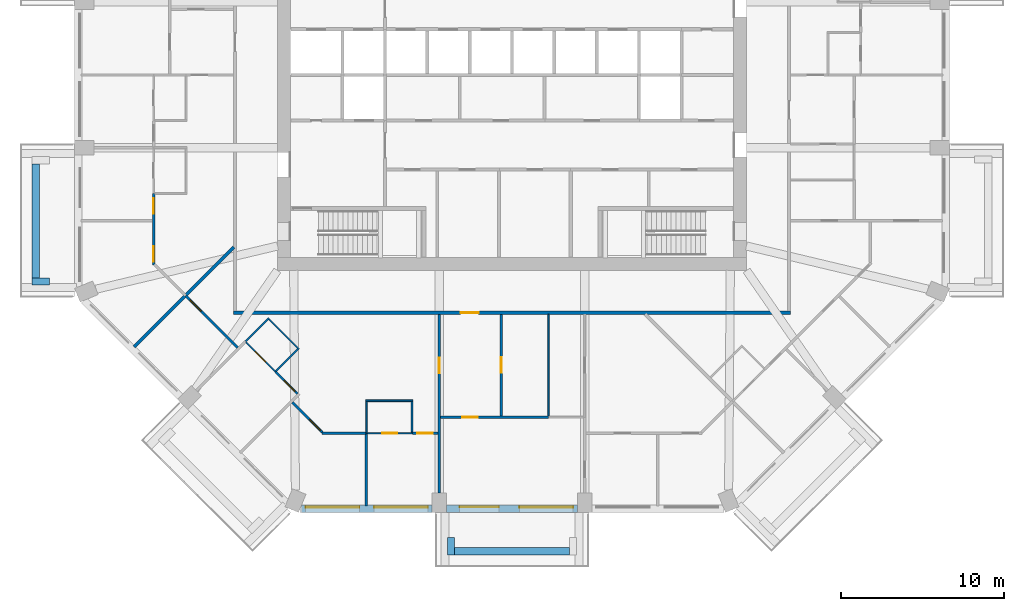
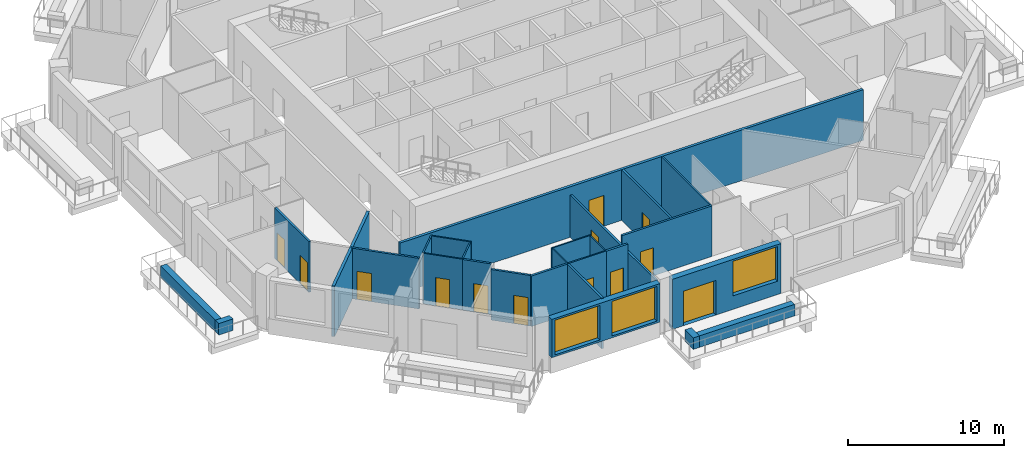
# One storey, part 3 of 13: 27 walls, 13 doors, 3 windows, 16 openings.
"""IFC4 building model written with IfcOpenShell, lengths in metres."""

from ifc_helpers import new_model, si_unit, direction, frame, frame_2d, origin, place, context, subcontext, project, spatial, rectangle, extrude, material, layer, layer_set, type_object, element, fill, save


model = new_model("IFC4")

# Units and contexts
model_context = context("Model", 3, precision=1e-05, world=origin(), true_north=direction((0.0, 1.0)))
body_context = subcontext(model_context, "Body", "Model", "MODEL_VIEW")
ifc_project = project(units=[si_unit("LENGTHUNIT", "METRE"), si_unit("AREAUNIT", "SQUARE_METRE"), si_unit("VOLUMEUNIT", "CUBIC_METRE"), si_unit("PLANEANGLEUNIT", "RADIAN"), si_unit("MASSUNIT", "GRAM", prefix="KILO")], contexts=[model_context])

# Site, building, storey
site_placement = place(None, origin())
site = spatial("IfcSite", under=ifc_project, at=site_placement, CompositionType="ELEMENT")
building_placement = place(site_placement, origin())
building = spatial("IfcBuilding", under=site, at=building_placement, Name="Msitu Wima Residences", CompositionType="ELEMENT")
storey_placement = place(building_placement, frame((0.0, 0.0, 140.10009765625)))
storey = spatial("IfcBuildingStorey", under=building, at=storey_placement, Name="L32", CompositionType="ELEMENT", Elevation=140.10009765625)

# Walls
ifc_material_1 = material(Name="Facing brick")
ifc_layer_1 = layer(ifc_material_1, 0.06494140625, Name="Facing brick")
ifc_material_2 = material(Name="Concrete C40/50", Category="concrete")
ifc_layer_2 = layer(ifc_material_2, 0.156005859375, Name="Concrete C40/50")
ifc_material_3 = material(Name="Waterproofing membrane")
ifc_layer_3 = layer(ifc_material_3, 0.00390625, Name="Waterproofing membrane")
ifc_material_4 = material(Name="Planting soil and planting")
ifc_layer_4 = layer(ifc_material_4, 0.22509765625, Name="Planting soil and planting")
ifc_layer_set_1 = layer_set([ifc_layer_1, ifc_layer_2, ifc_layer_3, ifc_layer_4], Name="Concrete C40/50")
wall_type_1 = type_object("IfcWallType", Name="Balcony planter PLANTER PL450", PredefinedType="USERDEFINED", material=ifc_layer_set_1)
wall_1_placement = place(storey_placement, frame((-29.22509765625, -5.468505859375, 0.0), z_axis=(0.0, 0.0, 1.0), x_axis=(0.0, -1.0, 0.0)))
element("IfcWall", 1, at=wall_1_placement, inside=storey, type_object=wall_type_1, Name="Balcony planter W2 L32", ObjectType="PLANTER", PredefinedType="USERDEFINED", context=body_context, shape_type="SweptSolid", body=[
    extrude(rectangle(XDim=6.9873046875, YDim=0.449951171875, at=frame_2d((3.49365234375, 0.0))), origin(), (0.0, 0.0, 1.0), 0.89990234375),
])
wall_2_placement = place(storey_placement, frame((-28.39990234375, -12.680908203125, 0.0), z_axis=(0.0, 0.0, 1.0), x_axis=(-1.0, 0.0, 0.0)))
element("IfcWall", 2, at=wall_2_placement, inside=storey, type_object=wall_type_1, Name="Balcony planter W2 L32", ObjectType="PLANTER", PredefinedType="USERDEFINED", context=body_context, shape_type="SweptSolid", body=[
    extrude(rectangle(XDim=1.050048828125, YDim=0.449951171875, at=frame_2d((0.52490234375, 0.0))), origin(), (0.0, 0.0, 1.0), 0.89990234375),
])
wall_3_placement = place(storey_placement, frame((-3.5185546875, -29.22509765625, 0.0), z_axis=(0.0, 0.0, 1.0), x_axis=(1.0, 0.0, 0.0)))
element("IfcWall", 3, at=wall_3_placement, inside=storey, type_object=wall_type_1, Name="Balcony planter S1 L32", ObjectType="PLANTER", PredefinedType="USERDEFINED", context=body_context, shape_type="SweptSolid", body=[
    extrude(rectangle(XDim=7.037109375, YDim=0.449951171875, at=frame_2d((3.5185546875, 0.0))), origin(), (0.0, 0.0, 1.0), 0.89990234375),
])
wall_4_placement = place(storey_placement, frame((-3.74365234375, -28.39990234375, 0.0), z_axis=(0.0, 0.0, 1.0), x_axis=(0.0, -1.0, 0.0)))
element("IfcWall", 4, at=wall_4_placement, inside=storey, type_object=wall_type_1, Name="Balcony planter S1 L32", ObjectType="PLANTER", PredefinedType="USERDEFINED", context=body_context, shape_type="SweptSolid", body=[
    extrude(rectangle(XDim=1.050048828125, YDim=0.449951171875, at=frame_2d((0.52490234375, 0.0))), origin(), (0.0, 0.0, 1.0), 0.89990234375),
])

# Wall, openings, windows
ifc_material_5 = material(Name="Brick (red buff mix)", Category="masonry")
ifc_layer_5 = layer(ifc_material_5, 0.449951171875)
ifc_layer_set_2 = layer_set([ifc_layer_5], Name="Brick (red buff mix)")
wall_type_2 = type_object("IfcWallType", Name="Brick infill wall BW450", PredefinedType="SOLIDWALL", material=ifc_layer_set_2)
wall_5_placement = place(storey_placement, frame((-12.918701171875, -26.625, 0.89990234375), z_axis=(0.0, 0.0, 1.0), x_axis=(1.0, 0.0, 0.0)))
wall_5 = element("IfcWall", 5, at=wall_5_placement, inside=storey, type_object=wall_type_2, Name="Brick infill wall L32 S0", PredefinedType="SOLIDWALL", context=body_context, shape_type="SweptSolid", body=[
    extrude(rectangle(XDim=8.0, YDim=0.449951171875, at=frame_2d((4.0, 0.0))), origin(), (0.0, 0.0, 1.0), 3.0),
])
opening_1_placement = place(wall_5_placement, frame((0.25, 0.0, 0.14990234375)))
opening_1 = element("IfcOpeningElement", 6, at=opening_1_placement, cuts=wall_5, Name="Opening W30-32.016", PredefinedType="OPENING", context=body_context, shape_type="SweptSolid", body=[
    extrude(rectangle(XDim=3.300048828125, YDim=2.699951171875, at=frame_2d((1.64990234375, 1.35009765625))), frame((0.0, 0.23486328125, 0.0), z_axis=(0.0, -1.0, 0.0), x_axis=(1.0, 0.0, 0.0)), (0.0, 0.0, 1.0), 0.469970703125),
])
opening_2_placement = place(wall_5_placement, frame((4.4501953125, 0.0, 0.14990234375)))
opening_2 = element("IfcOpeningElement", 7, at=opening_2_placement, cuts=wall_5, Name="Opening W30-32.017", PredefinedType="OPENING", context=body_context, shape_type="SweptSolid", body=[
    extrude(rectangle(XDim=3.300048828125, YDim=2.699951171875, at=frame_2d((1.64990234375, 1.35009765625))), frame((0.0, 0.23486328125, 0.0), z_axis=(0.0, -1.0, 0.0), x_axis=(1.0, 0.0, 0.0)), (0.0, 0.0, 1.0), 0.469970703125),
])
ifc_material_6 = material(Name="Anodised aluminium, bronze finish, clear low-emissivity double glazing", Category="aluminium")
window_type = type_object("IfcWindowType", Name="Window W3300x2700", PartitioningType="DOUBLE_PANEL_VERTICAL", PredefinedType="WINDOW", material=ifc_material_6)
window_1_placement = place(opening_1_placement, origin())
window_1 = element("IfcWindow", 8, at=window_1_placement, inside=storey, type_object=window_type, Name="Window L32 S0.1", OverallHeight=2.699951171875, OverallWidth=3.300048828125, PartitioningType="SINGLE_PANEL", PredefinedType="WINDOW", context=body_context, shape_type="SweptSolid", body=[
    extrude(rectangle(XDim=3.300048828125, YDim=2.699951171875, at=frame_2d((1.64990234375, 1.35009765625))), frame((0.0, 0.135009765625, 0.0), z_axis=(0.0, -1.0, 0.0), x_axis=(1.0, 0.0, 0.0)), (0.0, 0.0, 1.0), 0.06005859375),
])
fill(opening_1, window_1)
window_2_placement = place(opening_2_placement, origin())
window_2 = element("IfcWindow", 9, at=window_2_placement, inside=storey, type_object=window_type, Name="Window L32 S0.2", OverallHeight=2.699951171875, OverallWidth=3.300048828125, PartitioningType="SINGLE_PANEL", PredefinedType="WINDOW", context=body_context, shape_type="SweptSolid", body=[
    extrude(rectangle(XDim=3.300048828125, YDim=2.699951171875, at=frame_2d((1.64990234375, 1.35009765625))), frame((0.0, 0.135009765625, 0.0), z_axis=(0.0, -1.0, 0.0), x_axis=(1.0, 0.0, 0.0)), (0.0, 0.0, 1.0), 0.06005859375),
])
fill(opening_2, window_2)

# Wall, openings, door, window
wall_6_placement = place(storey_placement, frame((-4.0185546875, -26.625, 0.0), z_axis=(0.0, 0.0, 1.0), x_axis=(1.0, 0.0, 0.0)))
wall_6 = element("IfcWall", 10, at=wall_6_placement, inside=storey, type_object=wall_type_2, Name="Brick infill wall L32 S1", PredefinedType="SOLIDWALL", context=body_context, shape_type="SweptSolid", body=[
    extrude(rectangle(XDim=8.037109375, YDim=0.449951171875, at=frame_2d((4.0185546875, 0.0))), origin(), (0.0, 0.0, 1.0), 3.89990234375),
])
opening_3_placement = place(wall_6_placement, frame((0.809326171875, 0.0, 0.0)))
opening_3 = element("IfcOpeningElement", 11, at=opening_3_placement, cuts=wall_6, Name="Opening D30-32.006", PredefinedType="OPENING", context=body_context, shape_type="SweptSolid", body=[
    extrude(rectangle(XDim=2.39990234375, YDim=2.699951171875, at=frame_2d((1.199951171875, 1.35009765625))), frame((0.0, 0.23486328125, 0.0), z_axis=(0.0, -1.0, 0.0), x_axis=(1.0, 0.0, 0.0)), (0.0, 0.0, 1.0), 0.469970703125),
])
opening_4_placement = place(wall_6_placement, frame((4.46875, 0.0, 1.050048828125)))
opening_4 = element("IfcOpeningElement", 12, at=opening_4_placement, cuts=wall_6, Name="Opening W30-32.018", PredefinedType="OPENING", context=body_context, shape_type="SweptSolid", body=[
    extrude(rectangle(XDim=3.300048828125, YDim=2.699951171875, at=frame_2d((1.64990234375, 1.35009765625))), frame((0.0, 0.23486328125, 0.0), z_axis=(0.0, -1.0, 0.0), x_axis=(1.0, 0.0, 0.0)), (0.0, 0.0, 1.0), 0.469970703125),
])
door_type_1 = type_object("IfcDoorType", Name="Balcony door D2400x2700", OperationType="SLIDING_TO_LEFT", PredefinedType="DOOR", material=ifc_material_6)
door_1_placement = place(opening_3_placement, origin())
door_1 = element("IfcDoor", 13, at=door_1_placement, inside=storey, type_object=door_type_1, Name="Balcony door L32 S1", OperationType="SINGLE_SWING_LEFT", OverallHeight=2.699951171875, OverallWidth=2.39990234375, PredefinedType="DOOR", context=body_context, shape_type="SweptSolid", body=[
    extrude(rectangle(XDim=2.39990234375, YDim=2.699951171875, at=frame_2d((1.199951171875, 1.35009765625))), frame((0.0, 0.1298828125, 0.0), z_axis=(0.0, -1.0, 0.0), x_axis=(1.0, 0.0, 0.0)), (0.0, 0.0, 1.0), 0.050048828125),
])
fill(opening_3, door_1)
window_3_placement = place(opening_4_placement, origin())
window_3 = element("IfcWindow", 14, at=window_3_placement, inside=storey, type_object=window_type, Name="Window L32 S1.2", OverallHeight=2.699951171875, OverallWidth=3.300048828125, PartitioningType="SINGLE_PANEL", PredefinedType="WINDOW", context=body_context, shape_type="SweptSolid", body=[
    extrude(rectangle(XDim=3.300048828125, YDim=2.699951171875, at=frame_2d((1.64990234375, 1.35009765625))), frame((0.0, 0.135009765625, 0.0), z_axis=(0.0, -1.0, 0.0), x_axis=(1.0, 0.0, 0.0)), (0.0, 0.0, 1.0), 0.06005859375),
])
fill(opening_4, window_3)

# Wall, opening, door
ifc_material_7 = material(Name="Plaster")
ifc_layer_6 = layer(ifc_material_7, 0.011962890625, Name="Plaster")
ifc_material_8 = material(Name="Concrete blockwork", Category="masonry")
ifc_layer_7 = layer(ifc_material_8, 0.176025390625, Name="Concrete blockwork")
ifc_layer_8 = layer(ifc_material_7, 0.011962890625, Name="Plaster")
ifc_layer_set_3 = layer_set([ifc_layer_6, ifc_layer_7, ifc_layer_8], Name="Concrete blockwork")
wall_type_3 = type_object("IfcWallType", Name="Corridor wall FW200", PredefinedType="PARTITIONING", material=ifc_layer_set_3)
wall_7_placement = place(storey_placement, frame((-17.10009765625, -14.60009765625, 0.0), z_axis=(0.0, 0.0, 1.0), x_axis=(1.0, 0.0, 0.0)))
wall_7 = element("IfcWall", 15, at=wall_7_placement, inside=storey, type_object=wall_type_3, Name="Corridor wall", PredefinedType="PARTITIONING", context=body_context, shape_type="SweptSolid", body=[
    extrude(rectangle(XDim=34.2001953125, YDim=0.199951171875, at=frame_2d((17.10009765625, 0.0))), origin(), (0.0, 0.0, 1.0), 3.949951171875),
])
opening_5_placement = place(wall_7_placement, frame((13.949951171875, 0.0, 0.0)))
opening_5 = element("IfcOpeningElement", 16, at=opening_5_placement, cuts=wall_7, Name="Opening D30-32.013", PredefinedType="OPENING", context=body_context, shape_type="SweptSolid", body=[
    extrude(rectangle(XDim=1.10009765625, YDim=2.39990234375, at=frame_2d((0.550048828125, 1.199951171875))), frame((0.0, 0.10986328125, 0.0), z_axis=(0.0, -1.0, 0.0), x_axis=(1.0, 0.0, 0.0)), (0.0, 0.0, 1.0), 0.219970703125),
])
ifc_material_9 = material(Name="Timber flush door, fire resisting, self-closing", Category="wood")
door_type_2 = type_object("IfcDoorType", Name="Flat entrance door D01 1100x2400", OperationType="SINGLE_SWING_LEFT", PredefinedType="DOOR", material=ifc_material_9)
door_2_placement = place(opening_5_placement, origin())
door_2 = element("IfcDoor", 17, at=door_2_placement, inside=storey, type_object=door_type_2, Name="Flat entrance door", OperationType="SINGLE_SWING_RIGHT", OverallHeight=2.39990234375, OverallWidth=1.10009765625, PredefinedType="DOOR", context=body_context, shape_type="SweptSolid", body=[
    extrude(rectangle(XDim=1.10009765625, YDim=2.39990234375, at=frame_2d((0.550048828125, 1.199951171875))), frame((0.0, 0.02490234375, 0.0), z_axis=(0.0, -1.0, 0.0), x_axis=(1.0, 0.0, 0.0)), (0.0, 0.0, 1.0), 0.050048828125),
])
fill(opening_5, door_2)

# Wall, openings, doors
ifc_layer_9 = layer(ifc_material_7, 0.011962890625, Name="Plaster")
ifc_layer_10 = layer(ifc_material_8, 0.1259765625, Name="Concrete blockwork")
ifc_layer_11 = layer(ifc_material_7, 0.011962890625, Name="Plaster")
ifc_layer_set_4 = layer_set([ifc_layer_9, ifc_layer_10, ifc_layer_11], Name="Concrete blockwork")
wall_type_4 = type_object("IfcWallType", Name="Partition PW150", PredefinedType="PARTITIONING", material=ifc_layer_set_4)
wall_8_placement = place(storey_placement, frame((-22.0, -11.658447265625, 0.0), z_axis=(0.0, 0.0, 1.0), x_axis=(0.0, 1.0, 0.0)))
wall_8 = element("IfcWall", 18, at=wall_8_placement, inside=storey, type_object=wall_type_4, Name="Partition", PredefinedType="PARTITIONING", context=body_context, shape_type="SweptSolid", body=[
    extrude(rectangle(XDim=4.389892578125, YDim=0.14990234375, at=frame_2d((2.19482421875, 0.0))), origin(), (0.0, 0.0, 1.0), 3.949951171875),
])
opening_6_placement = place(wall_8_placement, frame((3.14990234375, 0.0, 0.0)))
opening_6 = element("IfcOpeningElement", 19, at=opening_6_placement, cuts=wall_8, Name="Opening D30-32.048", PredefinedType="OPENING", context=body_context, shape_type="SweptSolid", body=[
    extrude(rectangle(XDim=0.949951171875, YDim=2.199951171875, at=frame_2d((0.47509765625, 1.10009765625))), frame((0.0, 0.0849609375, 0.0), z_axis=(0.0, -1.0, 0.0), x_axis=(1.0, 0.0, 0.0)), (0.0, 0.0, 1.0), 0.169921875),
])
opening_7_placement = place(wall_8_placement, frame((0.199951171875, 0.0, 0.0)))
opening_7 = element("IfcOpeningElement", 20, at=opening_7_placement, cuts=wall_8, Name="Opening D30-32.054", PredefinedType="OPENING", context=body_context, shape_type="SweptSolid", body=[
    extrude(rectangle(XDim=0.949951171875, YDim=2.199951171875, at=frame_2d((0.47509765625, 1.10009765625))), frame((0.0, 0.0849609375, 0.0), z_axis=(0.0, -1.0, 0.0), x_axis=(1.0, 0.0, 0.0)), (0.0, 0.0, 1.0), 0.169921875),
])
ifc_material_10 = material(Name="Timber flush door", Category="wood")
door_type_3 = type_object("IfcDoorType", Name="Room door D12 950x2200", OperationType="SINGLE_SWING_LEFT", PredefinedType="DOOR", material=ifc_material_10)
door_3_placement = place(opening_6_placement, origin())
door_3 = element("IfcDoor", 21, at=door_3_placement, inside=storey, type_object=door_type_3, Name="Room door", OperationType="SINGLE_SWING_LEFT", OverallHeight=2.199951171875, OverallWidth=0.949951171875, PredefinedType="DOOR", context=body_context, shape_type="SweptSolid", body=[
    extrude(rectangle(XDim=0.949951171875, YDim=2.199951171875, at=frame_2d((0.47509765625, 1.10009765625))), frame((0.0, 0.02490234375, 0.0), z_axis=(0.0, -1.0, 0.0), x_axis=(1.0, 0.0, 0.0)), (0.0, 0.0, 1.0), 0.050048828125),
])
fill(opening_6, door_3)
door_4_placement = place(opening_7_placement, origin())
door_4 = element("IfcDoor", 22, at=door_4_placement, inside=storey, type_object=door_type_3, Name="Room door", OperationType="SINGLE_SWING_RIGHT", OverallHeight=2.199951171875, OverallWidth=0.949951171875, PredefinedType="DOOR", context=body_context, shape_type="SweptSolid", body=[
    extrude(rectangle(XDim=0.949951171875, YDim=2.199951171875, at=frame_2d((0.47509765625, 1.10009765625))), frame((0.0, 0.02490234375, 0.0), z_axis=(0.0, -1.0, 0.0), x_axis=(1.0, 0.0, 0.0)), (0.0, 0.0, 1.0), 0.050048828125),
])
fill(opening_7, door_4)

# Wall, opening, door
wall_9_placement = place(storey_placement, frame((-20.040283203125, -13.543212890625, 0.0), z_axis=(0.0, 0.0, 1.0), x_axis=(0.707133793192, -0.707079768149, 0.0)))
wall_9 = element("IfcWall", 23, at=wall_9_placement, inside=storey, type_object=wall_type_4, Name="Partition", PredefinedType="PARTITIONING", context=body_context, shape_type="SweptSolid", body=[
    extrude(rectangle(XDim=4.51904296875, YDim=0.14990234375, at=frame_2d((2.259521484375, 0.0))), origin(), (0.0, 0.0, 1.0), 3.949951171875),
])
opening_8_placement = place(wall_9_placement, frame((0.39990234375, 0.0, 0.0)))
opening_8 = element("IfcOpeningElement", 24, at=opening_8_placement, cuts=wall_9, Name="Opening D30-32.060", PredefinedType="OPENING", context=body_context, shape_type="SweptSolid", body=[
    extrude(rectangle(XDim=0.949951171875, YDim=2.199951171875, at=frame_2d((0.47509765625, 1.10009765625))), frame((0.0, 0.0849609375, 0.0), z_axis=(0.0, -1.0, 0.0), x_axis=(1.0, 0.0, 0.0)), (0.0, 0.0, 1.0), 0.169921875),
])
door_5_placement = place(opening_8_placement, origin())
door_5 = element("IfcDoor", 25, at=door_5_placement, inside=storey, type_object=door_type_3, Name="Room door", OperationType="SINGLE_SWING_RIGHT", OverallHeight=2.199951171875, OverallWidth=0.949951171875, PredefinedType="DOOR", context=body_context, shape_type="SweptSolid", body=[
    extrude(rectangle(XDim=0.949951171875, YDim=2.199951171875, at=frame_2d((0.47509765625, 1.10009765625))), frame((0.0, 0.02490234375, 0.0), z_axis=(0.0, -1.0, 0.0), x_axis=(1.0, 0.0, 0.0)), (0.0, 0.0, 1.0), 0.050048828125),
])
fill(opening_8, door_5)

wall_10_placement = place(storey_placement, frame((-14.514892578125, -18.219970703125, 0.0), z_axis=(0.0, 0.0, 1.0), x_axis=(0.707106781187, -0.707106781187, 0.0)))
wall_10 = element("IfcWall", 26, at=wall_10_placement, inside=storey, type_object=wall_type_4, Name="Partition", PredefinedType="PARTITIONING", context=body_context, shape_type="SweptSolid", body=[
    extrude(rectangle(XDim=1.8994140625, YDim=0.14990234375, at=frame_2d((0.94970703125, 0.0))), origin(), (0.0, 0.0, 1.0), 3.949951171875),
])
opening_9_placement = place(wall_10_placement, frame((0.75, 0.0, 0.0)))
opening_9 = element("IfcOpeningElement", 27, at=opening_9_placement, cuts=wall_10, Name="Opening D30-32.066", PredefinedType="OPENING", context=body_context, shape_type="SweptSolid", body=[
    extrude(rectangle(XDim=0.949951171875, YDim=2.199951171875, at=frame_2d((0.47509765625, 1.10009765625))), frame((0.0, 0.0849609375, 0.0), z_axis=(0.0, -1.0, 0.0), x_axis=(1.0, 0.0, 0.0)), (0.0, 0.0, 1.0), 0.169921875),
])
door_6_placement = place(opening_9_placement, origin())
door_6 = element("IfcDoor", 28, at=door_6_placement, inside=storey, type_object=door_type_3, Name="Room door", OperationType="SINGLE_SWING_LEFT", OverallHeight=2.199951171875, OverallWidth=0.949951171875, PredefinedType="DOOR", context=body_context, shape_type="SweptSolid", body=[
    extrude(rectangle(XDim=0.949951171875, YDim=2.199951171875, at=frame_2d((0.47509765625, 1.10009765625))), frame((0.0, 0.02490234375, 0.0), z_axis=(0.0, -1.0, 0.0), x_axis=(1.0, 0.0, 0.0)), (0.0, 0.0, 1.0), 0.050048828125),
])
fill(opening_9, door_6)

wall_11_placement = place(storey_placement, frame((-13.489990234375, -20.09326171875, 0.0), z_axis=(0.0, 0.0, 1.0), x_axis=(0.707060213517, -0.70715334579, 0.0)))
wall_11 = element("IfcWall", 29, at=wall_11_placement, inside=storey, type_object=wall_type_4, Name="Partition", PredefinedType="PARTITIONING", context=body_context, shape_type="SweptSolid", body=[
    extrude(rectangle(XDim=2.621337890625, YDim=0.14990234375, at=frame_2d((1.310546875, 0.0))), origin(), (0.0, 0.0, 1.0), 3.949951171875),
])
opening_10_placement = place(wall_11_placement, frame((1.5, 0.0, 0.0)))
opening_10 = element("IfcOpeningElement", 30, at=opening_10_placement, cuts=wall_11, Name="Opening D30-32.071", PredefinedType="OPENING", context=body_context, shape_type="SweptSolid", body=[
    extrude(rectangle(XDim=0.949951171875, YDim=2.199951171875, at=frame_2d((0.47509765625, 1.10009765625))), frame((0.0, 0.0849609375, 0.0), z_axis=(0.0, -1.0, 0.0), x_axis=(1.0, 0.0, 0.0)), (0.0, 0.0, 1.0), 0.169921875),
])
door_7_placement = place(opening_10_placement, origin())
door_7 = element("IfcDoor", 31, at=door_7_placement, inside=storey, type_object=door_type_3, Name="Room door", OperationType="SINGLE_SWING_RIGHT", OverallHeight=2.199951171875, OverallWidth=0.949951171875, PredefinedType="DOOR", context=body_context, shape_type="SweptSolid", body=[
    extrude(rectangle(XDim=0.949951171875, YDim=2.199951171875, at=frame_2d((0.47509765625, 1.10009765625))), frame((0.0, 0.02490234375, 0.0), z_axis=(0.0, -1.0, 0.0), x_axis=(1.0, 0.0, 0.0)), (0.0, 0.0, 1.0), 0.050048828125),
])
fill(opening_10, door_7)

# Walls
wall_12_placement = place(storey_placement, frame((-11.658447265625, -22.0, 0.0), z_axis=(0.0, 0.0, 1.0), x_axis=(1.0, 0.0, 0.0)))
element("IfcWall", 32, at=wall_12_placement, inside=storey, type_object=wall_type_4, Name="Partition", PredefinedType="PARTITIONING", context=body_context, shape_type="SweptSolid", body=[
    extrude(rectangle(XDim=2.701171875, YDim=0.14990234375, at=frame_2d((1.3505859375, 0.0))), origin(), (0.0, 0.0, 1.0), 3.949951171875),
])
wall_13_placement = place(storey_placement, frame((-8.937255859375, -26.455078125, 0.0), z_axis=(0.0, 0.0, 1.0), x_axis=(0.0, 1.0, 0.0)))
element("IfcWall", 33, at=wall_13_placement, inside=storey, type_object=wall_type_4, Name="Partition", PredefinedType="PARTITIONING", context=body_context, shape_type="SweptSolid", body=[
    extrude(rectangle(XDim=4.47509765625, YDim=0.14990234375, at=frame_2d((2.237548828125, 0.0))), origin(), (0.0, 0.0, 1.0), 3.949951171875),
])

# Wall, opening, door
wall_14_placement = place(storey_placement, frame((-6.1171875, -22.0, 0.0), z_axis=(0.0, 0.0, 1.0), x_axis=(1.0, 0.0, 0.0)))
wall_14 = element("IfcWall", 34, at=wall_14_placement, inside=storey, type_object=wall_type_4, Name="Partition", PredefinedType="PARTITIONING", context=body_context, shape_type="SweptSolid", body=[
    extrude(rectangle(XDim=1.573486328125, YDim=0.14990234375, at=frame_2d((0.78662109375, 0.0))), origin(), (0.0, 0.0, 1.0), 3.949951171875),
])
opening_11_placement = place(wall_14_placement, frame((0.300048828125, 0.0, 0.0)))
opening_11 = element("IfcOpeningElement", 35, at=opening_11_placement, cuts=wall_14, Name="Opening D30-32.063", PredefinedType="OPENING", context=body_context, shape_type="SweptSolid", body=[
    extrude(rectangle(XDim=0.949951171875, YDim=2.199951171875, at=frame_2d((0.47509765625, 1.10009765625))), frame((0.0, 0.0849609375, 0.0), z_axis=(0.0, -1.0, 0.0), x_axis=(1.0, 0.0, 0.0)), (0.0, 0.0, 1.0), 0.169921875),
])
door_8_placement = place(opening_11_placement, origin())
door_8 = element("IfcDoor", 36, at=door_8_placement, inside=storey, type_object=door_type_3, Name="Room door", OperationType="SINGLE_SWING_LEFT", OverallHeight=2.199951171875, OverallWidth=0.949951171875, PredefinedType="DOOR", context=body_context, shape_type="SweptSolid", body=[
    extrude(rectangle(XDim=0.949951171875, YDim=2.199951171875, at=frame_2d((0.47509765625, 1.10009765625))), frame((0.0, 0.02490234375, 0.0), z_axis=(0.0, -1.0, 0.0), x_axis=(1.0, 0.0, 0.0)), (0.0, 0.0, 1.0), 0.050048828125),
])
fill(opening_11, door_8)

wall_15_placement = place(storey_placement, frame((-4.46875, -25.64990234375, 0.0), z_axis=(0.0, 0.0, 1.0), x_axis=(0.0, 1.0, 0.0)))
wall_15 = element("IfcWall", 37, at=wall_15_placement, inside=storey, type_object=wall_type_4, Name="Partition", PredefinedType="PARTITIONING", context=body_context, shape_type="SweptSolid", body=[
    extrude(rectangle(XDim=10.949951171875, YDim=0.14990234375, at=frame_2d((5.47509765625, 0.0))), origin(), (0.0, 0.0, 1.0), 3.2998046875),
])
opening_12_placement = place(wall_15_placement, frame((7.35009765625, 0.0, 0.0)))
opening_12 = element("IfcOpeningElement", 38, at=opening_12_placement, cuts=wall_15, Name="Opening D30-32.059", PredefinedType="OPENING", context=body_context, shape_type="SweptSolid", body=[
    extrude(rectangle(XDim=0.949951171875, YDim=2.199951171875, at=frame_2d((0.47509765625, 1.10009765625))), frame((0.0, 0.0849609375, 0.0), z_axis=(0.0, -1.0, 0.0), x_axis=(1.0, 0.0, 0.0)), (0.0, 0.0, 1.0), 0.169921875),
])
door_9_placement = place(opening_12_placement, origin())
door_9 = element("IfcDoor", 39, at=door_9_placement, inside=storey, type_object=door_type_3, Name="Room door", OperationType="SINGLE_SWING_RIGHT", OverallHeight=2.199951171875, OverallWidth=0.949951171875, PredefinedType="DOOR", context=body_context, shape_type="SweptSolid", body=[
    extrude(rectangle(XDim=0.949951171875, YDim=2.199951171875, at=frame_2d((0.47509765625, 1.10009765625))), frame((0.0, 0.02490234375, 0.0), z_axis=(0.0, -1.0, 0.0), x_axis=(1.0, 0.0, 0.0)), (0.0, 0.0, 1.0), 0.050048828125),
])
fill(opening_12, door_9)

wall_16_placement = place(storey_placement, frame((-4.3935546875, -21.0, 0.0), z_axis=(0.0, 0.0, 1.0), x_axis=(1.0, 0.0, 0.0)))
wall_16 = element("IfcWall", 40, at=wall_16_placement, inside=storey, type_object=wall_type_4, Name="Partition", PredefinedType="PARTITIONING", context=body_context, shape_type="SweptSolid", body=[
    extrude(rectangle(XDim=6.64501953125, YDim=0.14990234375, at=frame_2d((3.322509765625, 0.0))), origin(), (0.0, 0.0, 1.0), 3.949951171875),
])
opening_13_placement = place(wall_16_placement, frame((1.35009765625, 0.0, 0.0)))
opening_13 = element("IfcOpeningElement", 41, at=opening_13_placement, cuts=wall_16, Name="Opening D30-32.061", PredefinedType="OPENING", context=body_context, shape_type="SweptSolid", body=[
    extrude(rectangle(XDim=0.949951171875, YDim=2.199951171875, at=frame_2d((0.47509765625, 1.10009765625))), frame((0.0, 0.0849609375, 0.0), z_axis=(0.0, -1.0, 0.0), x_axis=(1.0, 0.0, 0.0)), (0.0, 0.0, 1.0), 0.169921875),
])
door_10_placement = place(opening_13_placement, origin())
door_10 = element("IfcDoor", 42, at=door_10_placement, inside=storey, type_object=door_type_3, Name="Room door", OperationType="SINGLE_SWING_RIGHT", OverallHeight=2.199951171875, OverallWidth=0.949951171875, PredefinedType="DOOR", context=body_context, shape_type="SweptSolid", body=[
    extrude(rectangle(XDim=0.949951171875, YDim=2.199951171875, at=frame_2d((0.47509765625, 1.10009765625))), frame((0.0, 0.02490234375, 0.0), z_axis=(0.0, -1.0, 0.0), x_axis=(1.0, 0.0, 0.0)), (0.0, 0.0, 1.0), 0.050048828125),
])
fill(opening_13, door_10)

wall_17_placement = place(storey_placement, frame((-0.668701171875, -20.925048828125, 0.0), z_axis=(0.0, 0.0, 1.0), x_axis=(0.0, 1.0, 0.0)))
wall_17 = element("IfcWall", 43, at=wall_17_placement, inside=storey, type_object=wall_type_4, Name="Partition", PredefinedType="PARTITIONING", context=body_context, shape_type="SweptSolid", body=[
    extrude(rectangle(XDim=6.22509765625, YDim=0.14990234375, at=frame_2d((3.112548828125, 0.0))), origin(), (0.0, 0.0, 1.0), 3.949951171875),
])
opening_14_placement = place(wall_17_placement, frame((2.64990234375, 0.0, 0.0)))
opening_14 = element("IfcOpeningElement", 44, at=opening_14_placement, cuts=wall_17, Name="Opening D30-32.065", PredefinedType="OPENING", context=body_context, shape_type="SweptSolid", body=[
    extrude(rectangle(XDim=0.949951171875, YDim=2.199951171875, at=frame_2d((0.47509765625, 1.10009765625))), frame((0.0, 0.0849609375, 0.0), z_axis=(0.0, -1.0, 0.0), x_axis=(1.0, 0.0, 0.0)), (0.0, 0.0, 1.0), 0.169921875),
])
door_11_placement = place(opening_14_placement, origin())
door_11 = element("IfcDoor", 45, at=door_11_placement, inside=storey, type_object=door_type_3, Name="Room door", OperationType="SINGLE_SWING_LEFT", OverallHeight=2.199951171875, OverallWidth=0.949951171875, PredefinedType="DOOR", context=body_context, shape_type="SweptSolid", body=[
    extrude(rectangle(XDim=0.949951171875, YDim=2.199951171875, at=frame_2d((0.47509765625, 1.10009765625))), frame((0.0, 0.02490234375, 0.0), z_axis=(0.0, -1.0, 0.0), x_axis=(1.0, 0.0, 0.0)), (0.0, 0.0, 1.0), 0.050048828125),
])
fill(opening_14, door_11)

# Walls
ifc_layer_12 = layer(ifc_material_7, 0.011962890625, Name="Plaster")
ifc_material_11 = material(Name="Dense concrete blockwork", Category="masonry")
ifc_layer_13 = layer(ifc_material_11, 0.176025390625, Name="Dense concrete blockwork")
ifc_layer_14 = layer(ifc_material_7, 0.011962890625, Name="Plaster")
ifc_layer_set_5 = layer_set([ifc_layer_12, ifc_layer_13, ifc_layer_14], Name="Dense concrete blockwork")
wall_type_5 = type_object("IfcWallType", Name="Party wall PW200", PredefinedType="PARTITIONING", material=ifc_layer_set_5)
wall_18_placement = place(storey_placement, frame((-23.1904296875, -16.693359375, 0.0), z_axis=(0.0, 0.0, 1.0), x_axis=(0.707106781187, 0.707106781187, 0.0)))
element("IfcWall", 46, at=wall_18_placement, inside=storey, type_object=wall_type_5, Name="Party wall", PredefinedType="PARTITIONING", context=body_context, shape_type="SweptSolid", body=[
    extrude(rectangle(XDim=8.654541015625, YDim=0.199951171875, at=frame_2d((4.3271484375, 0.0))), origin(), (0.0, 0.0, 1.0), 3.949951171875),
])
ifc_material_12 = material(Name="Ceramic tiles")
ifc_layer_15 = layer(ifc_material_12, 0.008056640625, Name="Ceramic tiles")
ifc_material_13 = material(Name="Moisture-resistant board")
ifc_layer_16 = layer(ifc_material_13, 0.012451171875, Name="Moisture-resistant board")
ifc_material_14 = material(Name="Light-gauge stud framing with mineral wool")
ifc_layer_17 = layer(ifc_material_14, 0.06689453125, Name="Light-gauge stud framing with mineral wool")
ifc_layer_18 = layer(ifc_material_13, 0.012451171875, Name="Moisture-resistant board")
ifc_layer_set_6 = layer_set([ifc_layer_15, ifc_layer_16, ifc_layer_17, ifc_layer_18], Name="Light-gauge stud framing with mineral wool")
wall_type_6 = type_object("IfcWallType", Name="Wet wall PW100", PredefinedType="PARTITIONING", material=ifc_layer_set_6)
wall_19_placement = place(storey_placement, frame((-16.353271484375, -16.353271484375, 0.0), z_axis=(0.0, 0.0, 1.0), x_axis=(0.707106781187, 0.707106781187, 0.0)))
element("IfcWall", 47, at=wall_19_placement, inside=storey, type_object=wall_type_6, Name="Wet wall", PredefinedType="PARTITIONING", context=body_context, shape_type="SweptSolid", body=[
    extrude(rectangle(XDim=2.0302734375, YDim=0.10009765625, at=frame_2d((1.01513671875, 0.0))), origin(), (0.0, 0.0, 1.0), 3.949951171875),
])

# Wall, opening, door
wall_20_placement = place(storey_placement, frame((-16.33203125, -16.40283203125, 0.0), z_axis=(0.0, 0.0, 1.0), x_axis=(0.707106781187, -0.707106781187, 0.0)))
wall_20 = element("IfcWall", 48, at=wall_20_placement, inside=storey, type_object=wall_type_6, Name="Wet wall", PredefinedType="PARTITIONING", context=body_context, shape_type="SweptSolid", body=[
    extrude(rectangle(XDim=2.56982421875, YDim=0.10009765625, at=frame_2d((1.284912109375, 0.0))), origin(), (0.0, 0.0, 1.0), 3.949951171875),
])
opening_15_placement = place(wall_20_placement, frame((0.800048828125, 0.0, 0.0)))
opening_15 = element("IfcOpeningElement", 49, at=opening_15_placement, cuts=wall_20, Name="Opening D30-32.067", PredefinedType="OPENING", context=body_context, shape_type="SweptSolid", body=[
    extrude(rectangle(XDim=0.89990234375, YDim=2.199951171875, at=frame_2d((0.449951171875, 1.10009765625))), frame((0.0, 0.06005859375, 0.0), z_axis=(0.0, -1.0, 0.0), x_axis=(1.0, 0.0, 0.0)), (0.0, 0.0, 1.0), 0.1201171875),
])
ifc_material_15 = material(Name="Timber flush door, moisture resistant", Category="wood")
door_type_4 = type_object("IfcDoorType", Name="Bathroom door D03 900x2200", OperationType="SINGLE_SWING_LEFT", PredefinedType="DOOR", material=ifc_material_15)
door_12_placement = place(opening_15_placement, origin())
door_12 = element("IfcDoor", 50, at=door_12_placement, inside=storey, type_object=door_type_4, Name="Bathroom door", OperationType="SINGLE_SWING_LEFT", OverallHeight=2.199951171875, OverallWidth=0.89990234375, PredefinedType="DOOR", context=body_context, shape_type="SweptSolid", body=[
    extrude(rectangle(XDim=0.89990234375, YDim=2.199951171875, at=frame_2d((0.449951171875, 1.10009765625))), frame((0.0, 0.02490234375, 0.0), z_axis=(0.0, -1.0, 0.0), x_axis=(1.0, 0.0, 0.0)), (0.0, 0.0, 1.0), 0.050048828125),
])
fill(opening_15, door_12)

# Walls
wall_21_placement = place(storey_placement, frame((-14.917724609375, -14.988525390625, 0.0), z_axis=(0.0, 0.0, 1.0), x_axis=(0.707059830104, -0.707153729152, 0.0)))
element("IfcWall", 51, at=wall_21_placement, inside=storey, type_object=wall_type_6, Name="Wet wall", PredefinedType="PARTITIONING", context=body_context, shape_type="SweptSolid", body=[
    extrude(rectangle(XDim=2.60009765625, YDim=0.10009765625, at=frame_2d((1.300048828125, 0.0))), origin(), (0.0, 0.0, 1.0), 3.949951171875),
])
wall_22_placement = place(storey_placement, frame((-14.49365234375, -18.17041015625, 0.0), z_axis=(0.0, 0.0, 1.0), x_axis=(0.707171031496, 0.707042525039, 0.0)))
element("IfcWall", 52, at=wall_22_placement, inside=storey, type_object=wall_type_6, Name="Wet wall", PredefinedType="PARTITIONING", context=body_context, shape_type="SweptSolid", body=[
    extrude(rectangle(XDim=1.89990234375, YDim=0.10009765625, at=frame_2d((0.949951171875, 0.0))), origin(), (0.0, 0.0, 1.0), 3.949951171875),
])

# Wall, opening, door
wall_23_placement = place(storey_placement, frame((-8.957275390625, -22.0, 0.0), z_axis=(0.0, 0.0, 1.0), x_axis=(1.0, 0.0, 0.0)))
wall_23 = element("IfcWall", 53, at=wall_23_placement, inside=storey, type_object=wall_type_6, Name="Wet wall", PredefinedType="PARTITIONING", context=body_context, shape_type="SweptSolid", body=[
    extrude(rectangle(XDim=2.840087890625, YDim=0.10009765625, at=frame_2d((1.419921875, 0.0))), origin(), (0.0, 0.0, 1.0), 3.949951171875),
])
opening_16_placement = place(wall_23_placement, frame((1.0, 0.0, 0.0)))
opening_16 = element("IfcOpeningElement", 54, at=opening_16_placement, cuts=wall_23, Name="Opening D30-32.064", PredefinedType="OPENING", context=body_context, shape_type="SweptSolid", body=[
    extrude(rectangle(XDim=0.89990234375, YDim=2.199951171875, at=frame_2d((0.449951171875, 1.10009765625))), frame((0.0, 0.06005859375, 0.0), z_axis=(0.0, -1.0, 0.0), x_axis=(1.0, 0.0, 0.0)), (0.0, 0.0, 1.0), 0.1201171875),
])
door_13_placement = place(opening_16_placement, origin())
door_13 = element("IfcDoor", 55, at=door_13_placement, inside=storey, type_object=door_type_4, Name="Bathroom door", OperationType="SINGLE_SWING_RIGHT", OverallHeight=2.199951171875, OverallWidth=0.89990234375, PredefinedType="DOOR", context=body_context, shape_type="SweptSolid", body=[
    extrude(rectangle(XDim=0.89990234375, YDim=2.199951171875, at=frame_2d((0.449951171875, 1.10009765625))), frame((0.0, 0.02490234375, 0.0), z_axis=(0.0, -1.0, 0.0), x_axis=(1.0, 0.0, 0.0)), (0.0, 0.0, 1.0), 0.050048828125),
])
fill(opening_16, door_13)

# Walls
wall_24_placement = place(storey_placement, frame((-8.937255859375, -21.97998046875, 0.0), z_axis=(0.0, 0.0, 1.0), x_axis=(0.0, 1.0, 0.0)))
element("IfcWall", 56, at=wall_24_placement, inside=storey, type_object=wall_type_6, Name="Wet wall", PredefinedType="PARTITIONING", context=body_context, shape_type="SweptSolid", body=[
    extrude(rectangle(XDim=1.929931640625, YDim=0.10009765625, at=frame_2d((0.96484375, 0.0))), origin(), (0.0, 0.0, 1.0), 3.949951171875),
])
wall_25_placement = place(storey_placement, frame((-8.9873046875, -20.0, 0.0), z_axis=(0.0, 0.0, 1.0), x_axis=(1.0, 0.0, 0.0)))
element("IfcWall", 57, at=wall_25_placement, inside=storey, type_object=wall_type_6, Name="Wet wall", PredefinedType="PARTITIONING", context=body_context, shape_type="SweptSolid", body=[
    extrude(rectangle(XDim=2.900146484375, YDim=0.10009765625, at=frame_2d((1.4501953125, 0.0))), origin(), (0.0, 0.0, 1.0), 3.949951171875),
])
wall_26_placement = place(storey_placement, frame((-6.13720703125, -21.925048828125, 0.0), z_axis=(0.0, 0.0, 1.0), x_axis=(0.0, 1.0, 0.0)))
element("IfcWall", 58, at=wall_26_placement, inside=storey, type_object=wall_type_6, Name="Wet wall", PredefinedType="PARTITIONING", context=body_context, shape_type="SweptSolid", body=[
    extrude(rectangle(XDim=1.875, YDim=0.10009765625, at=frame_2d((0.9375, 0.0))), origin(), (0.0, 0.0, 1.0), 3.949951171875),
])
wall_27_placement = place(storey_placement, frame((2.2314453125, -20.925048828125, 0.0), z_axis=(0.0, 0.0, 1.0), x_axis=(0.0, 1.0, 0.0)))
element("IfcWall", 59, at=wall_27_placement, inside=storey, type_object=wall_type_6, Name="Wet wall", PredefinedType="PARTITIONING", context=body_context, shape_type="SweptSolid", body=[
    extrude(rectangle(XDim=6.22509765625, YDim=0.10009765625, at=frame_2d((3.112548828125, 0.0))), origin(), (0.0, 0.0, 1.0), 3.949951171875),
])

save(model, "model.ifc")
